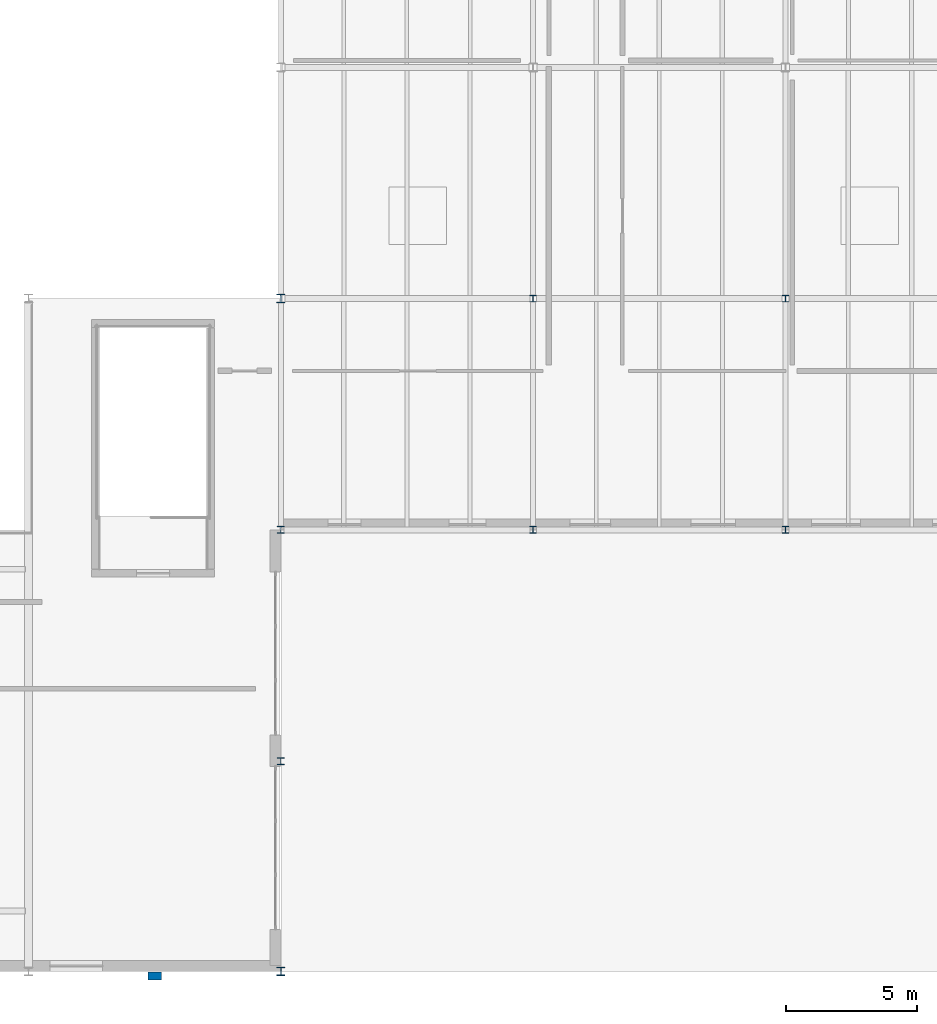
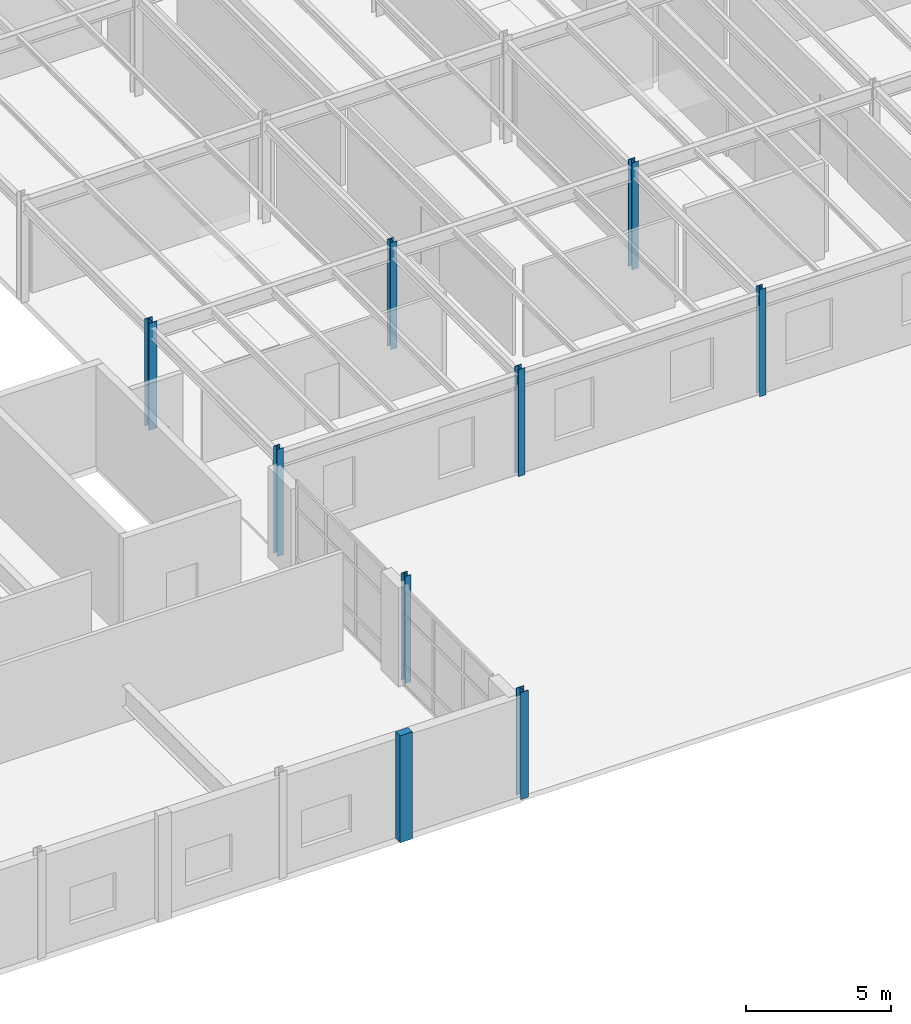
# One storey, part 4 of 77: 9 columns.
"""IFC4 building model written with IfcOpenShell, lengths in metres."""

from ifc_helpers import new_model, si_unit, direction, frame, origin, origin_2d, place, context, subcontext, project, spatial, rectangle, i_section, extrude, material, material_profile, profile_set, type_object, element, save


model = new_model("IFC4")

# Units and contexts
model_context = context("Model", 3, precision=1e-05, world=origin(), true_north=direction((0.0, 1.0)))
body_context = subcontext(model_context, "Body", "Model", "MODEL_VIEW")
ifc_project = project(units=[si_unit("LENGTHUNIT", "METRE"), si_unit("AREAUNIT", "SQUARE_METRE"), si_unit("VOLUMEUNIT", "CUBIC_METRE"), si_unit("PLANEANGLEUNIT", "RADIAN"), si_unit("MASSUNIT", "GRAM", prefix="KILO")], contexts=[model_context])

# Site, building, storey
site_placement = place(None, origin())
site = spatial("IfcSite", under=ifc_project, at=site_placement, CompositionType="ELEMENT")
building_placement = place(site_placement, origin())
building = spatial("IfcBuilding", under=site, at=building_placement, Name="Sarnbrook Museum", CompositionType="ELEMENT")
storey_placement = place(building_placement, frame((0.0, 0.0, 5.60009765625)))
storey = spatial("IfcBuildingStorey", under=building, at=storey_placement, Name="L01", CompositionType="ELEMENT", Elevation=5.60009765625)

# Columns
ifc_material_1 = material(Name="Structural Steel Grade 300PLUS (AS/NZS 3679.1, fy = 280 MPa for 17 < t <= 40 mm, 300 MPa for t <= 17 mm)", Category="steel")
ifc_material_profile_1 = material_profile(ifc_material_1, i_section(OverallWidth=0.256103515625, OverallDepth=0.260009765625, WebThickness=0.010498046875, FlangeThickness=0.017333984375, FilletRadius=0.0126953125, at=origin_2d()), Name="250UC89.5")
ifc_profile_set_1 = profile_set([ifc_material_profile_1], Name="Structural Steel Grade 300PLUS (AS/NZS 3679.1, fy = 280 MPa for 17 < t <= 40 mm, 300 MPa for t <= 17 mm)")
column_type_1 = type_object("IfcColumnType", Name="COL-UC250H", PredefinedType="COLUMN", material=ifc_profile_set_1)
for number, where, z_axis, x_axis, name in (
    (1, (90.39990234375, 21.60009765625, 0.0), (0.0, 0.0, 1.0), (1.0, 0.0, 0.0), "Column 10-C L01"),
    (2, (90.39990234375, 30.39990234375, 0.0), (0.0, 0.0, 1.0), (1.0, 0.0, 0.0), "Column 10-D L01"),
    (3, (100.0, 21.60009765625, 0.0), (0.0, 0.0, 1.0), (1.0, 0.0, 0.0), "Column 11-C L01"),
    (4, (100.0, 30.39990234375, 0.0), (0.0, 0.0, 1.0), (1.0, 0.0, 0.0), "Column 11-D L01"),
    (5, (80.800048828125, 12.800048828125, 0.0), (0.0, 0.0, 1.0), (1.0, 0.0, 0.0), "Column 9-B L01"),
    (6, (80.800048828125, 21.60009765625, 0.0), (0.0, 0.0, 1.0), (1.0, 0.0, 0.0), "Column 9-C L01"),
):
    element("IfcColumn", number, at=place(storey_placement, frame(where, z_axis=z_axis, x_axis=x_axis)), inside=storey, type_object=column_type_1, Name=name, PredefinedType="COLUMN", context=body_context, shape_type="SweptSolid", body=[
        extrude(i_section(OverallWidth=0.256103515625, OverallDepth=0.260009765625, WebThickness=0.010498046875, FlangeThickness=0.017333984375, FilletRadius=0.0126953125, at=origin_2d()), origin(), (0.0, 0.0, 1.0), 4.5),
    ])
ifc_material_profile_2 = material_profile(ifc_material_1, i_section(OverallWidth=0.31103515625, OverallDepth=0.326904296875, WebThickness=0.015625, FlangeThickness=0.02490234375, FilletRadius=0.0166015625, at=origin_2d()), Name="310UC158")
ifc_profile_set_2 = profile_set([ifc_material_profile_2], Name="Structural Steel Grade 300PLUS (AS/NZS 3679.1, fy = 280 MPa for 17 < t <= 40 mm, 300 MPa for t <= 17 mm)")
column_type_2 = type_object("IfcColumnType", Name="COL-UC310H", PredefinedType="COLUMN", material=ifc_profile_set_2)
for number, where, z_axis, x_axis, name in (
    (7, (80.800048828125, 4.800048828125, 0.0), (0.0, 0.0, 1.0), (1.0, 0.0, 0.0), "Column 9-A L01"),
    (8, (80.800048828125, 30.39990234375, 0.0), (0.0, 0.0, 1.0), (1.0, 0.0, 0.0), "Column 9-D L01"),
):
    element("IfcColumn", number, at=place(storey_placement, frame(where, z_axis=z_axis, x_axis=x_axis)), inside=storey, type_object=column_type_2, Name=name, PredefinedType="COLUMN", context=body_context, shape_type="SweptSolid", body=[
        extrude(i_section(OverallWidth=0.31103515625, OverallDepth=0.326904296875, WebThickness=0.015625, FlangeThickness=0.02490234375, FilletRadius=0.0166015625, at=origin_2d()), origin(), (0.0, 0.0, 1.0), 4.5),
    ])
ifc_material_2 = material(Name="Concrete N40 (AS 3600, f'c = 40 MPa)", Category="concrete")
ifc_material_profile_3 = material_profile(ifc_material_2, rectangle(XDim=0.5, YDim=0.300048828125, at=origin_2d()), Name="PILASTER 500x300")
ifc_profile_set_3 = profile_set([ifc_material_profile_3], Name="Concrete N40 (AS 3600, f'c = 40 MPa)")
column_type_3 = type_object("IfcColumnType", Name="PIL-500x300", PredefinedType="PILASTER", material=ifc_profile_set_3)
column_placement = place(storey_placement, frame((76.0, 4.6201171875, 0.0), z_axis=(0.0, 0.0, 1.0), x_axis=(1.0, 0.0, 0.0)))
element("IfcColumn", 9, at=column_placement, inside=storey, type_object=column_type_3, Name="Sandstone Classical Pilaster P-S4 L01", PredefinedType="PILASTER", context=body_context, shape_type="SweptSolid", body=[
    extrude(rectangle(XDim=0.5, YDim=0.300048828125, at=origin_2d()), origin(), (0.0, 0.0, 1.0), 4.5),
])

save(model, "model.ifc")
